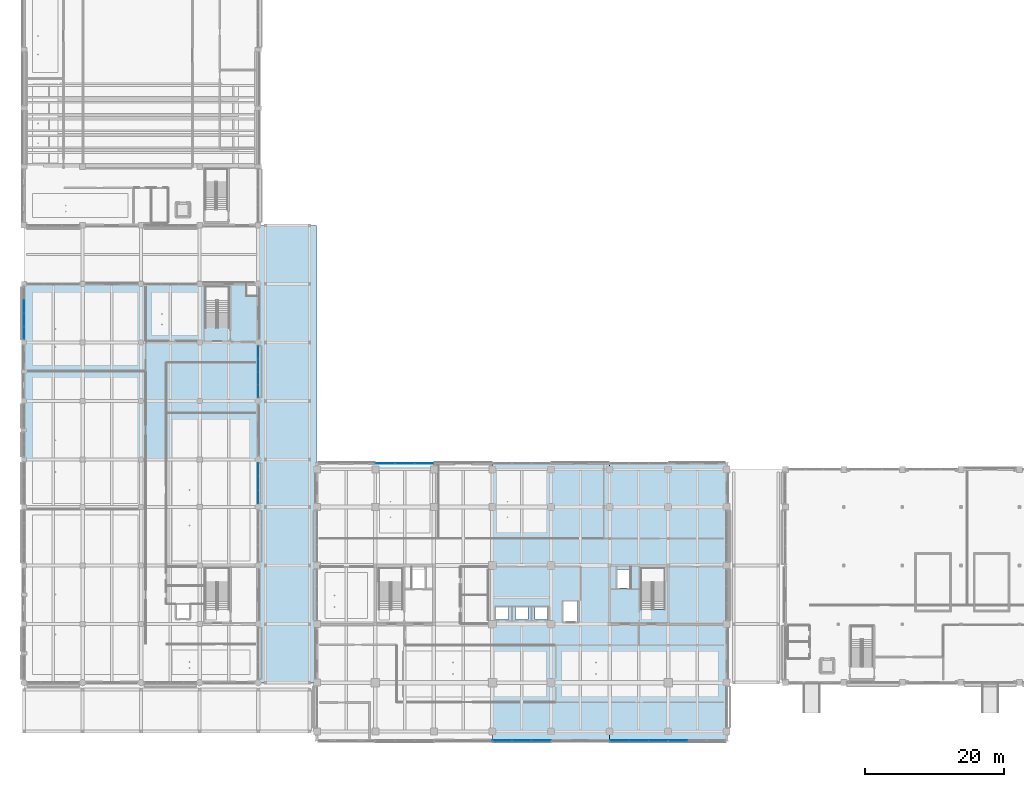
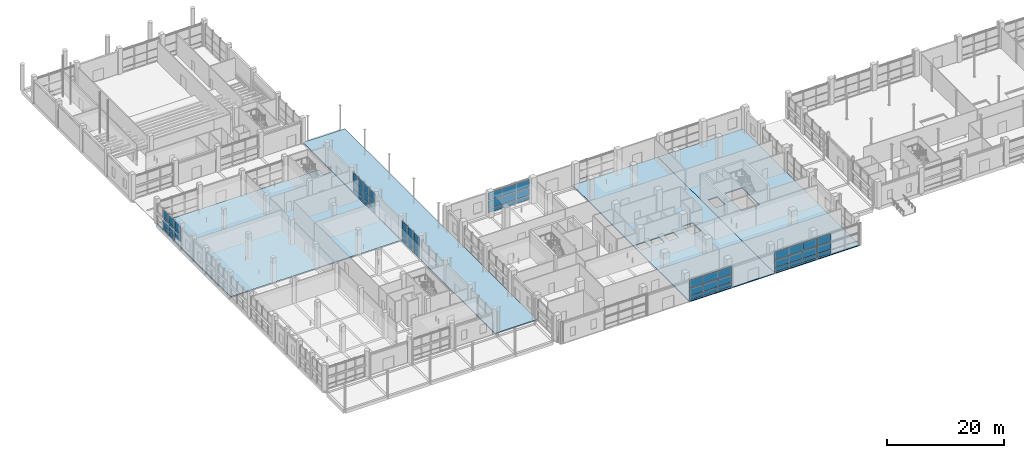
# One storey, part 47 of 140: 59 plates, 4 slabs, 7 elements without a shape of their own.
"""IFC4 building model written with IfcOpenShell, lengths in metres."""

from ifc_helpers import new_model, si_unit, direction, frame, origin, origin_2d, place, context, subcontext, project, spatial, polyline, rectangle, outline, extrude, material, layer, layer_set, type_object, element, aggregate, save


model = new_model("IFC4")

# Units and contexts
model_context = context("Model", 3, precision=1e-05, world=origin(), true_north=direction((0.0, 1.0)))
body_context = subcontext(model_context, "Body", "Model", "MODEL_VIEW")
ifc_project = project(units=[si_unit("LENGTHUNIT", "METRE"), si_unit("AREAUNIT", "SQUARE_METRE"), si_unit("VOLUMEUNIT", "CUBIC_METRE"), si_unit("PLANEANGLEUNIT", "RADIAN"), si_unit("MASSUNIT", "GRAM", prefix="KILO")], contexts=[model_context])

# Site, building, storey
site_placement = place(None, origin())
site = spatial("IfcSite", under=ifc_project, at=site_placement, CompositionType="ELEMENT")
building_placement = place(site_placement, origin())
building = spatial("IfcBuilding", under=site, at=building_placement, Name="Telukmera Botanical Conservatory", CompositionType="ELEMENT")
storey_placement = place(building_placement, origin())
storey = spatial("IfcBuildingStorey", under=building, at=storey_placement, Name="L00", CompositionType="ELEMENT", Elevation=0.0)

# Slabs
ifc_material_1 = material(Name="Concrete C40/50", Category="concrete")
ifc_layer_1 = layer(ifc_material_1, 0.199951171875)
ifc_layer_set_1 = layer_set([ifc_layer_1], Name="Concrete C40/50")
slab_type_1 = type_object("IfcSlabType", Name="Slab_FS20", PredefinedType="FLOOR", material=ifc_layer_set_1)
slab_1_placement = place(storey_placement, frame((0.0, 0.0, -0.199951171875)))
element("IfcSlab", 1, at=slab_1_placement, inside=storey, type_object=slab_type_1, Name="Tower Floor Slab L00 (CENT)", PredefinedType="FLOOR", context=body_context, shape_type="SweptSolid", body=[
    extrude(outline(polyline([(75.60009765625, 9.199951171875), (92.39990234375, 9.199951171875), (92.39990234375, 49.199951171875), (75.60009765625, 49.199951171875), (75.60009765625, 9.199951171875)]), holes=[polyline([(85.780029296875, 26.3798828125), (87.820068359375, 26.3798828125), (87.820068359375, 29.219970703125), (85.780029296875, 29.219970703125), (85.780029296875, 26.3798828125)]), polyline([(76.080078125, 26.6298828125), (77.919921875, 26.6298828125), (77.919921875, 28.3701171875), (76.080078125, 28.3701171875), (76.080078125, 26.6298828125)]), polyline([(78.8798828125, 26.6298828125), (80.719970703125, 26.6298828125), (80.719970703125, 28.3701171875), (78.8798828125, 28.3701171875), (78.8798828125, 26.6298828125)]), polyline([(81.679931640625, 26.6298828125), (83.52001953125, 26.6298828125), (83.52001953125, 28.3701171875), (81.679931640625, 28.3701171875), (81.679931640625, 26.6298828125)])]), origin(), (0.0, 0.0, 1.0), 0.199951171875),
])
slab_2_placement = place(storey_placement, frame((0.0, 0.0, -0.199951171875)))
element("IfcSlab", 2, at=slab_2_placement, inside=storey, type_object=slab_type_1, Name="Tower Floor Slab L00 (EAST)", PredefinedType="FLOOR", context=body_context, shape_type="SweptSolid", body=[
    extrude(outline(polyline([(92.39990234375, 9.199951171875), (109.199951171875, 9.199951171875), (109.199951171875, 49.199951171875), (92.39990234375, 49.199951171875), (92.39990234375, 9.199951171875)]), holes=[polyline([(100.35009765625, 28.093017578125), (100.35009765625, 34.050048828125), (96.8701171875, 34.050048828125), (96.8701171875, 28.093017578125), (100.35009765625, 28.093017578125)]), polyline([(93.47998046875, 31.179931640625), (95.320068359375, 31.179931640625), (95.320068359375, 33.820068359375), (93.47998046875, 33.820068359375), (93.47998046875, 31.179931640625)])]), origin(), (0.0, 0.0, 1.0), 0.199951171875),
])
slab_3_placement = place(storey_placement, frame((0.0, 0.0, -0.199951171875)))
element("IfcSlab", 3, at=slab_3_placement, inside=storey, type_object=slab_type_1, Name="Visitor Centre North Floor Slab L00", PredefinedType="FLOOR", context=body_context, shape_type="SweptSolid", body=[
    extrude(outline(polyline([(8.39990234375, 49.60009765625), (42.0, 49.60009765625), (42.0, 73.199951171875), (40.39990234375, 73.199951171875), (40.39990234375, 74.800048828125), (8.39990234375, 74.800048828125), (8.39990234375, 49.60009765625)])), origin(), (0.0, 0.0, 1.0), 0.199951171875),
])
ifc_layer_2 = layer(ifc_material_1, 0.199951171875)
ifc_layer_set_2 = layer_set([ifc_layer_2], Name="Concrete C40/50")
slab_type_2 = type_object("IfcSlabType", Name="Slab_TS20", PredefinedType="FLOOR", material=ifc_layer_set_2)
slab_4_placement = place(storey_placement, frame((0.0, 0.0, -0.199951171875)))
element("IfcSlab", 4, at=slab_4_placement, inside=storey, type_object=slab_type_2, Name="West Cloister Arcade Deck Slab L00", PredefinedType="FLOOR", context=body_context, shape_type="SweptSolid", body=[
    extrude(outline(polyline([(42.06005859375, 17.5400390625), (50.340087890625, 17.5400390625), (50.340087890625, 83.199951171875), (42.06005859375, 83.199951171875), (42.06005859375, 17.5400390625)])), origin(), (0.0, 0.0, 1.0), 0.199951171875),
])

# Curtain wall, plates
ifc_material_2 = material(Name="Anodised aluminium 6063-T6", Category="aluminium")
ifc_layer_3 = layer(ifc_material_2, 0.179931640625)
ifc_layer_set_3 = layer_set([ifc_layer_3], Name="Anodised aluminium 6063-T6")
curtain_wall_type_1 = type_object("IfcCurtainWallType", Name="Tower Boulevard Podium Hall Curtain Wall", PredefinedType="USERDEFINED", material=ifc_layer_set_3)
curtain_wall_1_placement = place(storey_placement, origin())
curtain_wall_1 = element("IfcCurtainWall", 5, at=curtain_wall_1_placement, inside=storey, type_object=curtain_wall_type_1, Name="Unitised Curtain Wall CW12 V4:L00:S4", ObjectType="UNITISED CURTAIN WALL", PredefinedType="USERDEFINED")
ifc_material_3 = material(Name="Spectrally selective low-E double glazing", Category="glass")
ifc_layer_4 = layer(ifc_material_3, 0.0380859375)
ifc_layer_set_4 = layer_set([ifc_layer_4], Name="Spectrally selective low-E double glazing")
plate_type_1 = type_object("IfcPlateType", Name="Solar Control Fritted Spandrel Glazing Panel 38", PredefinedType="CURTAIN_PANEL", material=ifc_layer_set_4)
plate_1_placement = place(storey_placement, frame((77.018798828125, 9.320068359375, 0.14990234375), z_axis=(0.0, 0.0, 1.0), x_axis=(1.0, 0.0, 0.0)))
plate_1 = element("IfcPlate", 6, at=plate_1_placement, type_object=plate_type_1, Name="CW12 panel 1.1", PredefinedType="CURTAIN_PANEL", context=body_context, shape_type="SweptSolid", body=[
    extrude(rectangle(XDim=2.693603515625, YDim=0.0380859375, at=origin_2d()), origin(), (0.0, 0.0, 1.0), 0.72509765625),
])
plate_2_placement = place(storey_placement, frame((77.018798828125, 9.320068359375, 1.02490234375), z_axis=(0.0, 0.0, 1.0), x_axis=(1.0, 0.0, 0.0)))
plate_2 = element("IfcPlate", 7, at=plate_2_placement, type_object=plate_type_1, Name="CW12 panel 1.2", PredefinedType="CURTAIN_PANEL", context=body_context, shape_type="SweptSolid", body=[
    extrude(rectangle(XDim=2.693603515625, YDim=0.0380859375, at=origin_2d()), origin(), (0.0, 0.0, 1.0), 1.550048828125),
])
plate_3_placement = place(storey_placement, frame((77.018798828125, 9.320068359375, 2.72509765625), z_axis=(0.0, 0.0, 1.0), x_axis=(1.0, 0.0, 0.0)))
plate_3 = element("IfcPlate", 8, at=plate_3_placement, type_object=plate_type_1, Name="CW12 panel 1.3", PredefinedType="CURTAIN_PANEL", context=body_context, shape_type="SweptSolid", body=[
    extrude(rectangle(XDim=2.693603515625, YDim=0.0380859375, at=origin_2d()), origin(), (0.0, 0.0, 1.0), 1.574951171875),
])
plate_4_placement = place(storey_placement, frame((79.800048828125, 9.320068359375, 0.14990234375), z_axis=(0.0, 0.0, 1.0), x_axis=(1.0, 0.0, 0.0)))
plate_4 = element("IfcPlate", 9, at=plate_4_placement, type_object=plate_type_1, Name="CW12 panel 2.1", PredefinedType="CURTAIN_PANEL", context=body_context, shape_type="SweptSolid", body=[
    extrude(rectangle(XDim=2.728759765625, YDim=0.0380859375, at=origin_2d()), origin(), (0.0, 0.0, 1.0), 0.72509765625),
])
plate_5_placement = place(storey_placement, frame((79.800048828125, 9.320068359375, 1.02490234375), z_axis=(0.0, 0.0, 1.0), x_axis=(1.0, 0.0, 0.0)))
plate_5 = element("IfcPlate", 10, at=plate_5_placement, type_object=plate_type_1, Name="CW12 panel 2.2", PredefinedType="CURTAIN_PANEL", context=body_context, shape_type="SweptSolid", body=[
    extrude(rectangle(XDim=2.728759765625, YDim=0.0380859375, at=origin_2d()), origin(), (0.0, 0.0, 1.0), 1.550048828125),
])
plate_6_placement = place(storey_placement, frame((79.800048828125, 9.320068359375, 2.72509765625), z_axis=(0.0, 0.0, 1.0), x_axis=(1.0, 0.0, 0.0)))
plate_6 = element("IfcPlate", 11, at=plate_6_placement, type_object=plate_type_1, Name="CW12 panel 2.3", PredefinedType="CURTAIN_PANEL", context=body_context, shape_type="SweptSolid", body=[
    extrude(rectangle(XDim=2.728759765625, YDim=0.0380859375, at=origin_2d()), origin(), (0.0, 0.0, 1.0), 1.574951171875),
])
plate_7_placement = place(storey_placement, frame((82.5810546875, 9.320068359375, 0.14990234375), z_axis=(0.0, 0.0, 1.0), x_axis=(1.0, 0.0, 0.0)))
plate_7 = element("IfcPlate", 12, at=plate_7_placement, type_object=plate_type_1, Name="CW12 panel 3.1", PredefinedType="CURTAIN_PANEL", context=body_context, shape_type="SweptSolid", body=[
    extrude(rectangle(XDim=2.693603515625, YDim=0.0380859375, at=origin_2d()), origin(), (0.0, 0.0, 1.0), 0.72509765625),
])
plate_8_placement = place(storey_placement, frame((82.5810546875, 9.320068359375, 1.02490234375), z_axis=(0.0, 0.0, 1.0), x_axis=(1.0, 0.0, 0.0)))
plate_8 = element("IfcPlate", 13, at=plate_8_placement, type_object=plate_type_1, Name="CW12 panel 3.2", PredefinedType="CURTAIN_PANEL", context=body_context, shape_type="SweptSolid", body=[
    extrude(rectangle(XDim=2.693603515625, YDim=0.0380859375, at=origin_2d()), origin(), (0.0, 0.0, 1.0), 1.550048828125),
])
plate_9_placement = place(storey_placement, frame((82.5810546875, 9.320068359375, 2.72509765625), z_axis=(0.0, 0.0, 1.0), x_axis=(1.0, 0.0, 0.0)))
plate_9 = element("IfcPlate", 14, at=plate_9_placement, type_object=plate_type_1, Name="CW12 panel 3.3", PredefinedType="CURTAIN_PANEL", context=body_context, shape_type="SweptSolid", body=[
    extrude(rectangle(XDim=2.693603515625, YDim=0.0380859375, at=origin_2d()), origin(), (0.0, 0.0, 1.0), 1.574951171875),
])
aggregate(curtain_wall_1, [plate_1, plate_2, plate_3, plate_4, plate_5, plate_6, plate_7, plate_8, plate_9])

curtain_wall_2_placement = place(storey_placement, origin())
curtain_wall_2 = element("IfcCurtainWall", 15, at=curtain_wall_2_placement, inside=storey, type_object=curtain_wall_type_1, Name="Unitised Curtain Wall CW12 V4:L00:S6", ObjectType="UNITISED CURTAIN WALL", PredefinedType="USERDEFINED")
plate_10_placement = place(storey_placement, frame((93.81884765625, 9.320068359375, 0.14990234375), z_axis=(0.0, 0.0, 1.0), x_axis=(1.0, 0.0, 0.0)))
plate_10 = element("IfcPlate", 16, at=plate_10_placement, type_object=plate_type_1, Name="CW12 panel 1.1", PredefinedType="CURTAIN_PANEL", context=body_context, shape_type="SweptSolid", body=[
    extrude(rectangle(XDim=2.693603515625, YDim=0.0380859375, at=origin_2d()), origin(), (0.0, 0.0, 1.0), 0.72509765625),
])
plate_11_placement = place(storey_placement, frame((93.81884765625, 9.320068359375, 1.02490234375), z_axis=(0.0, 0.0, 1.0), x_axis=(1.0, 0.0, 0.0)))
plate_11 = element("IfcPlate", 17, at=plate_11_placement, type_object=plate_type_1, Name="CW12 panel 1.2", PredefinedType="CURTAIN_PANEL", context=body_context, shape_type="SweptSolid", body=[
    extrude(rectangle(XDim=2.693603515625, YDim=0.0380859375, at=origin_2d()), origin(), (0.0, 0.0, 1.0), 1.550048828125),
])
plate_12_placement = place(storey_placement, frame((93.81884765625, 9.320068359375, 2.72509765625), z_axis=(0.0, 0.0, 1.0), x_axis=(1.0, 0.0, 0.0)))
plate_12 = element("IfcPlate", 18, at=plate_12_placement, type_object=plate_type_1, Name="CW12 panel 1.3", PredefinedType="CURTAIN_PANEL", context=body_context, shape_type="SweptSolid", body=[
    extrude(rectangle(XDim=2.693603515625, YDim=0.0380859375, at=origin_2d()), origin(), (0.0, 0.0, 1.0), 1.574951171875),
])
plate_13_placement = place(storey_placement, frame((96.60009765625, 9.320068359375, 0.14990234375), z_axis=(0.0, 0.0, 1.0), x_axis=(1.0, 0.0, 0.0)))
plate_13 = element("IfcPlate", 19, at=plate_13_placement, type_object=plate_type_1, Name="CW12 panel 2.1", PredefinedType="CURTAIN_PANEL", context=body_context, shape_type="SweptSolid", body=[
    extrude(rectangle(XDim=2.728759765625, YDim=0.0380859375, at=origin_2d()), origin(), (0.0, 0.0, 1.0), 0.72509765625),
])
plate_14_placement = place(storey_placement, frame((96.60009765625, 9.320068359375, 1.02490234375), z_axis=(0.0, 0.0, 1.0), x_axis=(1.0, 0.0, 0.0)))
plate_14 = element("IfcPlate", 20, at=plate_14_placement, type_object=plate_type_1, Name="CW12 panel 2.2", PredefinedType="CURTAIN_PANEL", context=body_context, shape_type="SweptSolid", body=[
    extrude(rectangle(XDim=2.728759765625, YDim=0.0380859375, at=origin_2d()), origin(), (0.0, 0.0, 1.0), 1.550048828125),
])
plate_15_placement = place(storey_placement, frame((96.60009765625, 9.320068359375, 2.72509765625), z_axis=(0.0, 0.0, 1.0), x_axis=(1.0, 0.0, 0.0)))
plate_15 = element("IfcPlate", 21, at=plate_15_placement, type_object=plate_type_1, Name="CW12 panel 2.3", PredefinedType="CURTAIN_PANEL", context=body_context, shape_type="SweptSolid", body=[
    extrude(rectangle(XDim=2.728759765625, YDim=0.0380859375, at=origin_2d()), origin(), (0.0, 0.0, 1.0), 1.574951171875),
])
plate_16_placement = place(storey_placement, frame((99.381103515625, 9.320068359375, 0.14990234375), z_axis=(0.0, 0.0, 1.0), x_axis=(1.0, 0.0, 0.0)))
plate_16 = element("IfcPlate", 22, at=plate_16_placement, type_object=plate_type_1, Name="CW12 panel 3.1", PredefinedType="CURTAIN_PANEL", context=body_context, shape_type="SweptSolid", body=[
    extrude(rectangle(XDim=2.693603515625, YDim=0.0380859375, at=origin_2d()), origin(), (0.0, 0.0, 1.0), 0.72509765625),
])
plate_17_placement = place(storey_placement, frame((99.381103515625, 9.320068359375, 1.02490234375), z_axis=(0.0, 0.0, 1.0), x_axis=(1.0, 0.0, 0.0)))
plate_17 = element("IfcPlate", 23, at=plate_17_placement, type_object=plate_type_1, Name="CW12 panel 3.2", PredefinedType="CURTAIN_PANEL", context=body_context, shape_type="SweptSolid", body=[
    extrude(rectangle(XDim=2.693603515625, YDim=0.0380859375, at=origin_2d()), origin(), (0.0, 0.0, 1.0), 1.550048828125),
])
plate_18_placement = place(storey_placement, frame((99.381103515625, 9.320068359375, 2.72509765625), z_axis=(0.0, 0.0, 1.0), x_axis=(1.0, 0.0, 0.0)))
plate_18 = element("IfcPlate", 24, at=plate_18_placement, type_object=plate_type_1, Name="CW12 panel 3.3", PredefinedType="CURTAIN_PANEL", context=body_context, shape_type="SweptSolid", body=[
    extrude(rectangle(XDim=2.693603515625, YDim=0.0380859375, at=origin_2d()), origin(), (0.0, 0.0, 1.0), 1.574951171875),
])
aggregate(curtain_wall_2, [plate_10, plate_11, plate_12, plate_13, plate_14, plate_15, plate_16, plate_17, plate_18])

curtain_wall_3_placement = place(storey_placement, origin())
curtain_wall_3 = element("IfcCurtainWall", 25, at=curtain_wall_3_placement, inside=storey, type_object=curtain_wall_type_1, Name="Unitised Curtain Wall CW12 V4:L00:S7", ObjectType="UNITISED CURTAIN WALL", PredefinedType="USERDEFINED")
plate_19_placement = place(storey_placement, frame((102.19384765625, 9.320068359375, 0.14990234375), z_axis=(0.0, 0.0, 1.0), x_axis=(1.0, 0.0, 0.0)))
plate_19 = element("IfcPlate", 26, at=plate_19_placement, type_object=plate_type_1, Name="CW12 panel 1.1", PredefinedType="CURTAIN_PANEL", context=body_context, shape_type="SweptSolid", body=[
    extrude(rectangle(XDim=2.6435546875, YDim=0.0380859375, at=origin_2d()), origin(), (0.0, 0.0, 1.0), 0.72509765625),
])
plate_20_placement = place(storey_placement, frame((102.19384765625, 9.320068359375, 1.02490234375), z_axis=(0.0, 0.0, 1.0), x_axis=(1.0, 0.0, 0.0)))
plate_20 = element("IfcPlate", 27, at=plate_20_placement, type_object=plate_type_1, Name="CW12 panel 1.2", PredefinedType="CURTAIN_PANEL", context=body_context, shape_type="SweptSolid", body=[
    extrude(rectangle(XDim=2.6435546875, YDim=0.0380859375, at=origin_2d()), origin(), (0.0, 0.0, 1.0), 1.550048828125),
])
plate_21_placement = place(storey_placement, frame((102.19384765625, 9.320068359375, 2.72509765625), z_axis=(0.0, 0.0, 1.0), x_axis=(1.0, 0.0, 0.0)))
plate_21 = element("IfcPlate", 28, at=plate_21_placement, type_object=plate_type_1, Name="CW12 panel 1.3", PredefinedType="CURTAIN_PANEL", context=body_context, shape_type="SweptSolid", body=[
    extrude(rectangle(XDim=2.6435546875, YDim=0.0380859375, at=origin_2d()), origin(), (0.0, 0.0, 1.0), 1.574951171875),
])
aggregate(curtain_wall_3, [plate_19, plate_20, plate_21])

curtain_wall_4_placement = place(storey_placement, origin())
curtain_wall_4 = element("IfcCurtainWall", 29, at=curtain_wall_4_placement, inside=storey, type_object=curtain_wall_type_1, Name="Unitised Curtain Wall CW12 V4:L00:N2", ObjectType="UNITISED CURTAIN WALL", PredefinedType="USERDEFINED")
plate_22_placement = place(storey_placement, frame((60.21875, 49.02001953125, 0.14990234375), z_axis=(0.0, 0.0, 1.0), x_axis=(1.0, 0.0, 0.0)))
plate_22 = element("IfcPlate", 30, at=plate_22_placement, type_object=plate_type_1, Name="CW12 panel 1.1", PredefinedType="CURTAIN_PANEL", context=body_context, shape_type="SweptSolid", body=[
    extrude(rectangle(XDim=2.693603515625, YDim=0.0380859375, at=origin_2d()), origin(), (0.0, 0.0, 1.0), 0.72509765625),
])
plate_23_placement = place(storey_placement, frame((60.21875, 49.02001953125, 1.02490234375), z_axis=(0.0, 0.0, 1.0), x_axis=(1.0, 0.0, 0.0)))
plate_23 = element("IfcPlate", 31, at=plate_23_placement, type_object=plate_type_1, Name="CW12 panel 1.2", PredefinedType="CURTAIN_PANEL", context=body_context, shape_type="SweptSolid", body=[
    extrude(rectangle(XDim=2.693603515625, YDim=0.0380859375, at=origin_2d()), origin(), (0.0, 0.0, 1.0), 1.550048828125),
])
plate_24_placement = place(storey_placement, frame((60.21875, 49.02001953125, 2.72509765625), z_axis=(0.0, 0.0, 1.0), x_axis=(1.0, 0.0, 0.0)))
plate_24 = element("IfcPlate", 32, at=plate_24_placement, type_object=plate_type_1, Name="CW12 panel 1.3", PredefinedType="CURTAIN_PANEL", context=body_context, shape_type="SweptSolid", body=[
    extrude(rectangle(XDim=2.693603515625, YDim=0.0380859375, at=origin_2d()), origin(), (0.0, 0.0, 1.0), 1.574951171875),
])
plate_25_placement = place(storey_placement, frame((63.0, 49.02001953125, 0.14990234375), z_axis=(0.0, 0.0, 1.0), x_axis=(1.0, 0.0, 0.0)))
plate_25 = element("IfcPlate", 33, at=plate_25_placement, type_object=plate_type_1, Name="CW12 panel 2.1", PredefinedType="CURTAIN_PANEL", context=body_context, shape_type="SweptSolid", body=[
    extrude(rectangle(XDim=2.728759765625, YDim=0.0380859375, at=origin_2d()), origin(), (0.0, 0.0, 1.0), 0.72509765625),
])
plate_26_placement = place(storey_placement, frame((63.0, 49.02001953125, 1.02490234375), z_axis=(0.0, 0.0, 1.0), x_axis=(1.0, 0.0, 0.0)))
plate_26 = element("IfcPlate", 34, at=plate_26_placement, type_object=plate_type_1, Name="CW12 panel 2.2", PredefinedType="CURTAIN_PANEL", context=body_context, shape_type="SweptSolid", body=[
    extrude(rectangle(XDim=2.728759765625, YDim=0.0380859375, at=origin_2d()), origin(), (0.0, 0.0, 1.0), 1.550048828125),
])
plate_27_placement = place(storey_placement, frame((63.0, 49.02001953125, 2.72509765625), z_axis=(0.0, 0.0, 1.0), x_axis=(1.0, 0.0, 0.0)))
plate_27 = element("IfcPlate", 35, at=plate_27_placement, type_object=plate_type_1, Name="CW12 panel 2.3", PredefinedType="CURTAIN_PANEL", context=body_context, shape_type="SweptSolid", body=[
    extrude(rectangle(XDim=2.728759765625, YDim=0.0380859375, at=origin_2d()), origin(), (0.0, 0.0, 1.0), 1.574951171875),
])
plate_28_placement = place(storey_placement, frame((65.78125, 49.02001953125, 0.14990234375), z_axis=(0.0, 0.0, 1.0), x_axis=(1.0, 0.0, 0.0)))
plate_28 = element("IfcPlate", 36, at=plate_28_placement, type_object=plate_type_1, Name="CW12 panel 3.1", PredefinedType="CURTAIN_PANEL", context=body_context, shape_type="SweptSolid", body=[
    extrude(rectangle(XDim=2.693603515625, YDim=0.0380859375, at=origin_2d()), origin(), (0.0, 0.0, 1.0), 0.72509765625),
])
plate_29_placement = place(storey_placement, frame((65.78125, 49.02001953125, 1.02490234375), z_axis=(0.0, 0.0, 1.0), x_axis=(1.0, 0.0, 0.0)))
plate_29 = element("IfcPlate", 37, at=plate_29_placement, type_object=plate_type_1, Name="CW12 panel 3.2", PredefinedType="CURTAIN_PANEL", context=body_context, shape_type="SweptSolid", body=[
    extrude(rectangle(XDim=2.693603515625, YDim=0.0380859375, at=origin_2d()), origin(), (0.0, 0.0, 1.0), 1.550048828125),
])
plate_30_placement = place(storey_placement, frame((65.78125, 49.02001953125, 2.72509765625), z_axis=(0.0, 0.0, 1.0), x_axis=(1.0, 0.0, 0.0)))
plate_30 = element("IfcPlate", 38, at=plate_30_placement, type_object=plate_type_1, Name="CW12 panel 3.3", PredefinedType="CURTAIN_PANEL", context=body_context, shape_type="SweptSolid", body=[
    extrude(rectangle(XDim=2.693603515625, YDim=0.0380859375, at=origin_2d()), origin(), (0.0, 0.0, 1.0), 1.574951171875),
])
aggregate(curtain_wall_4, [plate_22, plate_23, plate_24, plate_25, plate_26, plate_27, plate_28, plate_29, plate_30])

ifc_layer_5 = layer(ifc_material_2, 0.179931640625)
ifc_layer_set_5 = layer_set([ifc_layer_5], Name="Anodised aluminium 6063-T6")
curtain_wall_type_2 = type_object("IfcCurtainWallType", Name="Visitor Colonnade Ground Curtain Wall 1800 Mod", PredefinedType="USERDEFINED", material=ifc_layer_set_5)
curtain_wall_5_placement = place(storey_placement, origin())
curtain_wall_5 = element("IfcCurtainWall", 39, at=curtain_wall_5_placement, inside=storey, type_object=curtain_wall_type_2, Name="Unitised Curtain Wall CW06 V3:L00:W7", ObjectType="UNITISED CURTAIN WALL", PredefinedType="USERDEFINED")
ifc_layer_6 = layer(ifc_material_3, 0.028076171875)
ifc_layer_set_6 = layer_set([ifc_layer_6], Name="Spectrally selective low-E double glazing")
plate_type_2 = type_object("IfcPlateType", Name="Spectrally Selective Vision Double Glazing Panel 28", PredefinedType="CURTAIN_PANEL", material=ifc_layer_set_6)
plate_31_placement = place(storey_placement, frame((8.39990234375, 67.750244140625, 1.02490234375), z_axis=(0.0, 0.0, 1.0), x_axis=(0.0, 1.0, 0.0)))
plate_31 = element("IfcPlate", 40, at=plate_31_placement, type_object=plate_type_2, Name="CW06 panel 1.2", PredefinedType="CURTAIN_PANEL", context=body_context, shape_type="SweptSolid", body=[
    extrude(rectangle(XDim=1.806396484375, YDim=0.028076171875, at=origin_2d()), origin(), (0.0, 0.0, 1.0), 1.550048828125),
])
plate_32_placement = place(storey_placement, frame((8.39990234375, 67.750244140625, 2.72509765625), z_axis=(0.0, 0.0, 1.0), x_axis=(0.0, 1.0, 0.0)))
plate_32 = element("IfcPlate", 41, at=plate_32_placement, type_object=plate_type_2, Name="CW06 panel 1.3", PredefinedType="CURTAIN_PANEL", context=body_context, shape_type="SweptSolid", body=[
    extrude(rectangle(XDim=1.806396484375, YDim=0.028076171875, at=origin_2d()), origin(), (0.0, 0.0, 1.0), 1.574951171875),
])
plate_33_placement = place(storey_placement, frame((8.39990234375, 69.644287109375, 0.14990234375), z_axis=(0.0, 0.0, 1.0), x_axis=(0.0, 1.0, 0.0)))
plate_33 = element("IfcPlate", 42, at=plate_33_placement, type_object=plate_type_2, Name="CW06 panel 2.1", PredefinedType="CURTAIN_PANEL", context=body_context, shape_type="SweptSolid", body=[
    extrude(rectangle(XDim=1.841552734375, YDim=0.028076171875, at=origin_2d()), origin(), (0.0, 0.0, 1.0), 0.72509765625),
])
plate_34_placement = place(storey_placement, frame((8.39990234375, 69.644287109375, 1.02490234375), z_axis=(0.0, 0.0, 1.0), x_axis=(0.0, 1.0, 0.0)))
plate_34 = element("IfcPlate", 43, at=plate_34_placement, type_object=plate_type_2, Name="CW06 panel 2.2", PredefinedType="CURTAIN_PANEL", context=body_context, shape_type="SweptSolid", body=[
    extrude(rectangle(XDim=1.841552734375, YDim=0.028076171875, at=origin_2d()), origin(), (0.0, 0.0, 1.0), 1.550048828125),
])
plate_35_placement = place(storey_placement, frame((8.39990234375, 69.644287109375, 2.72509765625), z_axis=(0.0, 0.0, 1.0), x_axis=(0.0, 1.0, 0.0)))
plate_35 = element("IfcPlate", 44, at=plate_35_placement, type_object=plate_type_2, Name="CW06 panel 2.3", PredefinedType="CURTAIN_PANEL", context=body_context, shape_type="SweptSolid", body=[
    extrude(rectangle(XDim=1.841552734375, YDim=0.028076171875, at=origin_2d()), origin(), (0.0, 0.0, 1.0), 1.574951171875),
])
plate_36_placement = place(storey_placement, frame((8.39990234375, 71.5556640625, 0.14990234375), z_axis=(0.0, 0.0, 1.0), x_axis=(0.0, 1.0, 0.0)))
plate_36 = element("IfcPlate", 45, at=plate_36_placement, type_object=plate_type_2, Name="CW06 panel 3.1", PredefinedType="CURTAIN_PANEL", context=body_context, shape_type="SweptSolid", body=[
    extrude(rectangle(XDim=1.841552734375, YDim=0.028076171875, at=origin_2d()), origin(), (0.0, 0.0, 1.0), 0.72509765625),
])
plate_37_placement = place(storey_placement, frame((8.39990234375, 71.5556640625, 1.02490234375), z_axis=(0.0, 0.0, 1.0), x_axis=(0.0, 1.0, 0.0)))
plate_37 = element("IfcPlate", 46, at=plate_37_placement, type_object=plate_type_2, Name="CW06 panel 3.2", PredefinedType="CURTAIN_PANEL", context=body_context, shape_type="SweptSolid", body=[
    extrude(rectangle(XDim=1.841552734375, YDim=0.028076171875, at=origin_2d()), origin(), (0.0, 0.0, 1.0), 1.550048828125),
])
plate_38_placement = place(storey_placement, frame((8.39990234375, 71.5556640625, 2.72509765625), z_axis=(0.0, 0.0, 1.0), x_axis=(0.0, 1.0, 0.0)))
plate_38 = element("IfcPlate", 47, at=plate_38_placement, type_object=plate_type_2, Name="CW06 panel 3.3", PredefinedType="CURTAIN_PANEL", context=body_context, shape_type="SweptSolid", body=[
    extrude(rectangle(XDim=1.841552734375, YDim=0.028076171875, at=origin_2d()), origin(), (0.0, 0.0, 1.0), 1.574951171875),
])
aggregate(curtain_wall_5, [plate_31, plate_32, plate_33, plate_34, plate_35, plate_36, plate_37, plate_38])

ifc_layer_7 = layer(ifc_material_2, 0.179931640625)
ifc_layer_set_7 = layer_set([ifc_layer_7], Name="Anodised aluminium 6063-T6")
curtain_wall_type_3 = type_object("IfcCurtainWallType", Name="Visitor Courtyard Narrow Bay Curtain Wall", PredefinedType="USERDEFINED", material=ifc_layer_set_7)
curtain_wall_6_placement = place(storey_placement, origin())
curtain_wall_6 = element("IfcCurtainWall", 48, at=curtain_wall_6_placement, inside=storey, type_object=curtain_wall_type_3, Name="Unitised Curtain Wall CW10 V3:L00:E4", ObjectType="UNITISED CURTAIN WALL", PredefinedType="USERDEFINED")
plate_39_placement = place(storey_placement, frame((42.0, 44.249755859375, 0.10986328125), z_axis=(0.0, 0.0, 1.0), x_axis=(0.0, 1.0, 0.0)))
plate_39 = element("IfcPlate", 49, at=plate_39_placement, type_object=plate_type_2, Name="CW10 panel 1.1", PredefinedType="CURTAIN_PANEL", context=body_context, shape_type="SweptSolid", body=[
    extrude(rectangle(XDim=1.875244140625, YDim=0.028076171875, at=origin_2d()), origin(), (0.0, 0.0, 1.0), 0.784912109375),
])
plate_40_placement = place(storey_placement, frame((42.0, 44.249755859375, 1.0048828125), z_axis=(0.0, 0.0, 1.0), x_axis=(0.0, 1.0, 0.0)))
plate_40 = element("IfcPlate", 50, at=plate_40_placement, type_object=plate_type_2, Name="CW10 panel 1.2", PredefinedType="CURTAIN_PANEL", context=body_context, shape_type="SweptSolid", body=[
    extrude(rectangle(XDim=1.875244140625, YDim=0.028076171875, at=origin_2d()), origin(), (0.0, 0.0, 1.0), 1.590087890625),
])
plate_41_placement = place(storey_placement, frame((42.0, 44.249755859375, 2.705078125), z_axis=(0.0, 0.0, 1.0), x_axis=(0.0, 1.0, 0.0)))
plate_41 = element("IfcPlate", 51, at=plate_41_placement, type_object=plate_type_2, Name="CW10 panel 1.3", PredefinedType="CURTAIN_PANEL", context=body_context, shape_type="SweptSolid", body=[
    extrude(rectangle(XDim=1.875244140625, YDim=0.028076171875, at=origin_2d()), origin(), (0.0, 0.0, 1.0), 1.635009765625),
])
plate_42_placement = place(storey_placement, frame((42.0, 46.199951171875, 0.10986328125), z_axis=(0.0, 0.0, 1.0), x_axis=(0.0, 1.0, 0.0)))
plate_42 = element("IfcPlate", 52, at=plate_42_placement, type_object=plate_type_2, Name="CW10 panel 2.1", PredefinedType="CURTAIN_PANEL", context=body_context, shape_type="SweptSolid", body=[
    extrude(rectangle(XDim=1.9052734375, YDim=0.028076171875, at=origin_2d()), origin(), (0.0, 0.0, 1.0), 0.784912109375),
])
plate_43_placement = place(storey_placement, frame((42.0, 46.199951171875, 1.0048828125), z_axis=(0.0, 0.0, 1.0), x_axis=(0.0, 1.0, 0.0)))
plate_43 = element("IfcPlate", 53, at=plate_43_placement, type_object=plate_type_2, Name="CW10 panel 2.2", PredefinedType="CURTAIN_PANEL", context=body_context, shape_type="SweptSolid", body=[
    extrude(rectangle(XDim=1.9052734375, YDim=0.028076171875, at=origin_2d()), origin(), (0.0, 0.0, 1.0), 1.590087890625),
])
plate_44_placement = place(storey_placement, frame((42.0, 46.199951171875, 2.705078125), z_axis=(0.0, 0.0, 1.0), x_axis=(0.0, 1.0, 0.0)))
plate_44 = element("IfcPlate", 54, at=plate_44_placement, type_object=plate_type_2, Name="CW10 panel 2.3", PredefinedType="CURTAIN_PANEL", context=body_context, shape_type="SweptSolid", body=[
    extrude(rectangle(XDim=1.9052734375, YDim=0.028076171875, at=origin_2d()), origin(), (0.0, 0.0, 1.0), 1.635009765625),
])
plate_45_placement = place(storey_placement, frame((42.0, 48.150390625, 0.10986328125), z_axis=(0.0, 0.0, 1.0), x_axis=(0.0, 1.0, 0.0)))
plate_45 = element("IfcPlate", 55, at=plate_45_placement, type_object=plate_type_2, Name="CW10 panel 3.1", PredefinedType="CURTAIN_PANEL", context=body_context, shape_type="SweptSolid", body=[
    extrude(rectangle(XDim=1.875244140625, YDim=0.028076171875, at=origin_2d()), origin(), (0.0, 0.0, 1.0), 0.784912109375),
])
plate_46_placement = place(storey_placement, frame((42.0, 48.150390625, 1.0048828125), z_axis=(0.0, 0.0, 1.0), x_axis=(0.0, 1.0, 0.0)))
plate_46 = element("IfcPlate", 56, at=plate_46_placement, type_object=plate_type_2, Name="CW10 panel 3.2", PredefinedType="CURTAIN_PANEL", context=body_context, shape_type="SweptSolid", body=[
    extrude(rectangle(XDim=1.875244140625, YDim=0.028076171875, at=origin_2d()), origin(), (0.0, 0.0, 1.0), 1.590087890625),
])
plate_47_placement = place(storey_placement, frame((42.0, 48.150390625, 2.705078125), z_axis=(0.0, 0.0, 1.0), x_axis=(0.0, 1.0, 0.0)))
plate_47 = element("IfcPlate", 57, at=plate_47_placement, type_object=plate_type_2, Name="CW10 panel 3.3", PredefinedType="CURTAIN_PANEL", context=body_context, shape_type="SweptSolid", body=[
    extrude(rectangle(XDim=1.875244140625, YDim=0.028076171875, at=origin_2d()), origin(), (0.0, 0.0, 1.0), 1.635009765625),
])
aggregate(curtain_wall_6, [plate_39, plate_40, plate_41, plate_42, plate_43, plate_44, plate_45, plate_46, plate_47])

curtain_wall_7_placement = place(storey_placement, origin())
curtain_wall_7 = element("IfcCurtainWall", 58, at=curtain_wall_7_placement, inside=storey, type_object=curtain_wall_type_2, Name="Unitised Curtain Wall CW06 V3:L00:E6", ObjectType="UNITISED CURTAIN WALL", PredefinedType="USERDEFINED")
plate_48_placement = place(storey_placement, frame((42.0, 59.406494140625, 0.14990234375), z_axis=(0.0, 0.0, 1.0), x_axis=(0.0, 1.0, 0.0)))
plate_48 = element("IfcPlate", 59, at=plate_48_placement, type_object=plate_type_2, Name="CW06 panel 1.1", PredefinedType="CURTAIN_PANEL", context=body_context, shape_type="SweptSolid", body=[
    extrude(rectangle(XDim=1.76904296875, YDim=0.028076171875, at=origin_2d()), origin(), (0.0, 0.0, 1.0), 0.72509765625),
])
plate_49_placement = place(storey_placement, frame((42.0, 59.406494140625, 1.02490234375), z_axis=(0.0, 0.0, 1.0), x_axis=(0.0, 1.0, 0.0)))
plate_49 = element("IfcPlate", 60, at=plate_49_placement, type_object=plate_type_2, Name="CW06 panel 1.2", PredefinedType="CURTAIN_PANEL", context=body_context, shape_type="SweptSolid", body=[
    extrude(rectangle(XDim=1.76904296875, YDim=0.028076171875, at=origin_2d()), origin(), (0.0, 0.0, 1.0), 1.550048828125),
])
plate_50_placement = place(storey_placement, frame((42.0, 59.406494140625, 2.72509765625), z_axis=(0.0, 0.0, 1.0), x_axis=(0.0, 1.0, 0.0)))
plate_50 = element("IfcPlate", 61, at=plate_50_placement, type_object=plate_type_2, Name="CW06 panel 1.3", PredefinedType="CURTAIN_PANEL", context=body_context, shape_type="SweptSolid", body=[
    extrude(rectangle(XDim=1.76904296875, YDim=0.028076171875, at=origin_2d()), origin(), (0.0, 0.0, 1.0), 1.574951171875),
])
plate_51_placement = place(storey_placement, frame((42.0, 61.262939453125, 0.14990234375), z_axis=(0.0, 0.0, 1.0), x_axis=(0.0, 1.0, 0.0)))
plate_51 = element("IfcPlate", 62, at=plate_51_placement, type_object=plate_type_2, Name="CW06 panel 2.1", PredefinedType="CURTAIN_PANEL", context=body_context, shape_type="SweptSolid", body=[
    extrude(rectangle(XDim=1.803955078125, YDim=0.028076171875, at=origin_2d()), origin(), (0.0, 0.0, 1.0), 0.72509765625),
])
plate_52_placement = place(storey_placement, frame((42.0, 61.262939453125, 1.02490234375), z_axis=(0.0, 0.0, 1.0), x_axis=(0.0, 1.0, 0.0)))
plate_52 = element("IfcPlate", 63, at=plate_52_placement, type_object=plate_type_2, Name="CW06 panel 2.2", PredefinedType="CURTAIN_PANEL", context=body_context, shape_type="SweptSolid", body=[
    extrude(rectangle(XDim=1.803955078125, YDim=0.028076171875, at=origin_2d()), origin(), (0.0, 0.0, 1.0), 1.550048828125),
])
plate_53_placement = place(storey_placement, frame((42.0, 61.262939453125, 2.72509765625), z_axis=(0.0, 0.0, 1.0), x_axis=(0.0, 1.0, 0.0)))
plate_53 = element("IfcPlate", 64, at=plate_53_placement, type_object=plate_type_2, Name="CW06 panel 2.3", PredefinedType="CURTAIN_PANEL", context=body_context, shape_type="SweptSolid", body=[
    extrude(rectangle(XDim=1.803955078125, YDim=0.028076171875, at=origin_2d()), origin(), (0.0, 0.0, 1.0), 1.574951171875),
])
plate_54_placement = place(storey_placement, frame((42.0, 63.136962890625, 0.14990234375), z_axis=(0.0, 0.0, 1.0), x_axis=(0.0, 1.0, 0.0)))
plate_54 = element("IfcPlate", 65, at=plate_54_placement, type_object=plate_type_2, Name="CW06 panel 3.1", PredefinedType="CURTAIN_PANEL", context=body_context, shape_type="SweptSolid", body=[
    extrude(rectangle(XDim=1.803955078125, YDim=0.028076171875, at=origin_2d()), origin(), (0.0, 0.0, 1.0), 0.72509765625),
])
plate_55_placement = place(storey_placement, frame((42.0, 63.136962890625, 1.02490234375), z_axis=(0.0, 0.0, 1.0), x_axis=(0.0, 1.0, 0.0)))
plate_55 = element("IfcPlate", 66, at=plate_55_placement, type_object=plate_type_2, Name="CW06 panel 3.2", PredefinedType="CURTAIN_PANEL", context=body_context, shape_type="SweptSolid", body=[
    extrude(rectangle(XDim=1.803955078125, YDim=0.028076171875, at=origin_2d()), origin(), (0.0, 0.0, 1.0), 1.550048828125),
])
plate_56_placement = place(storey_placement, frame((42.0, 63.136962890625, 2.72509765625), z_axis=(0.0, 0.0, 1.0), x_axis=(0.0, 1.0, 0.0)))
plate_56 = element("IfcPlate", 67, at=plate_56_placement, type_object=plate_type_2, Name="CW06 panel 3.3", PredefinedType="CURTAIN_PANEL", context=body_context, shape_type="SweptSolid", body=[
    extrude(rectangle(XDim=1.803955078125, YDim=0.028076171875, at=origin_2d()), origin(), (0.0, 0.0, 1.0), 1.574951171875),
])
plate_57_placement = place(storey_placement, frame((42.0, 64.993408203125, 0.14990234375), z_axis=(0.0, 0.0, 1.0), x_axis=(0.0, 1.0, 0.0)))
plate_57 = element("IfcPlate", 68, at=plate_57_placement, type_object=plate_type_2, Name="CW06 panel 4.1", PredefinedType="CURTAIN_PANEL", context=body_context, shape_type="SweptSolid", body=[
    extrude(rectangle(XDim=1.76904296875, YDim=0.028076171875, at=origin_2d()), origin(), (0.0, 0.0, 1.0), 0.72509765625),
])
plate_58_placement = place(storey_placement, frame((42.0, 64.993408203125, 1.02490234375), z_axis=(0.0, 0.0, 1.0), x_axis=(0.0, 1.0, 0.0)))
plate_58 = element("IfcPlate", 69, at=plate_58_placement, type_object=plate_type_2, Name="CW06 panel 4.2", PredefinedType="CURTAIN_PANEL", context=body_context, shape_type="SweptSolid", body=[
    extrude(rectangle(XDim=1.76904296875, YDim=0.028076171875, at=origin_2d()), origin(), (0.0, 0.0, 1.0), 1.550048828125),
])
plate_59_placement = place(storey_placement, frame((42.0, 64.993408203125, 2.72509765625), z_axis=(0.0, 0.0, 1.0), x_axis=(0.0, 1.0, 0.0)))
plate_59 = element("IfcPlate", 70, at=plate_59_placement, type_object=plate_type_2, Name="CW06 panel 4.3", PredefinedType="CURTAIN_PANEL", context=body_context, shape_type="SweptSolid", body=[
    extrude(rectangle(XDim=1.76904296875, YDim=0.028076171875, at=origin_2d()), origin(), (0.0, 0.0, 1.0), 1.574951171875),
])
aggregate(curtain_wall_7, [plate_48, plate_49, plate_50, plate_51, plate_52, plate_53, plate_54, plate_55, plate_56, plate_57, plate_58, plate_59])

save(model, "model.ifc")
